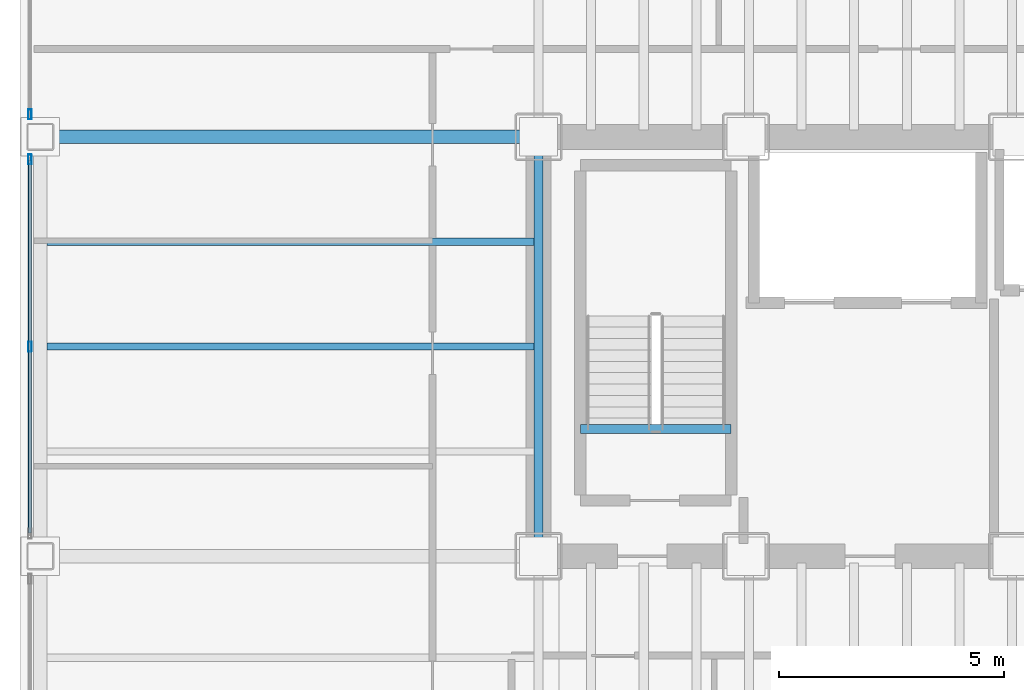
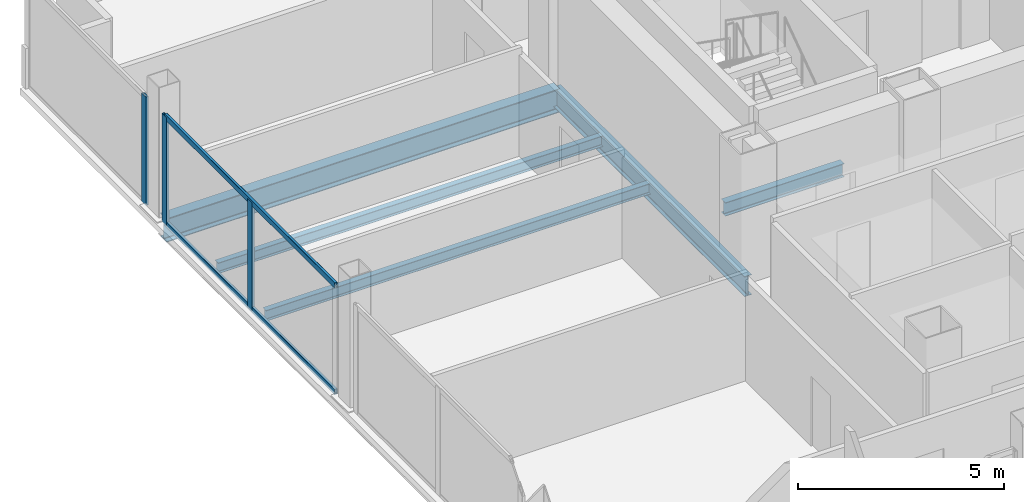
# One storey, part 6 of 21: 5 beams, 5 members, 2 elements without a shape of their own.
"""IFC4 building model written with IfcOpenShell, lengths in metres."""

from ifc_helpers import new_model, si_unit, direction, frame, origin, origin_2d, place, context, subcontext, project, spatial, hollow_rectangle, i_section, extrude, material, material_profile, profile_set, type_object, element, aggregate, save


model = new_model("IFC4")

# Units and contexts
model_context = context("Model", 3, precision=1e-05, world=origin(), true_north=direction((0.0, 1.0)))
body_context = subcontext(model_context, "Body", "Model", "MODEL_VIEW")
ifc_project = project(units=[si_unit("LENGTHUNIT", "METRE"), si_unit("AREAUNIT", "SQUARE_METRE"), si_unit("VOLUMEUNIT", "CUBIC_METRE"), si_unit("PLANEANGLEUNIT", "RADIAN"), si_unit("MASSUNIT", "GRAM", prefix="KILO")], contexts=[model_context])

# Site, building, storey
site_placement = place(None, origin())
site = spatial("IfcSite", under=ifc_project, at=site_placement, CompositionType="ELEMENT")
building_placement = place(site_placement, origin())
building = spatial("IfcBuilding", under=site, at=building_placement, Name="Noeulbin Bourse Tower", CompositionType="ELEMENT")
storey_placement = place(building_placement, frame((0.0, 0.0, 30.39990234375)))
storey = spatial("IfcBuildingStorey", under=building, at=storey_placement, Name="L07", CompositionType="ELEMENT", Elevation=30.39990234375)

# Beams
ifc_material_1 = material(Name="Steel S355", Category="steel")
ifc_material_profile_1 = material_profile(ifc_material_1, i_section(OverallWidth=0.199951171875, OverallDepth=0.60009765625, WebThickness=0.010986328125, FlangeThickness=0.01708984375, FilletRadius=0.02197265625, at=origin_2d()), Name="H-600x200x11x17", Category="LoadBearing")
ifc_profile_set_1 = profile_set([ifc_material_profile_1], Name="Steel S355")
beam_type_1 = type_object("IfcBeamType", Name="BM-GRD-600", PredefinedType="USERDEFINED", material=ifc_profile_set_1)
beam_1_placement = place(storey_placement, frame((13.5, 29.0, -0.47998046875), z_axis=(0.0, 1.0, 0.0), x_axis=(-1.0, 0.0, 0.0)))
element("IfcBeam", 1, at=beam_1_placement, inside=storey, type_object=beam_type_1, Name="Tower Primary Girder NS L07-1.3", ObjectType="GIRDER", PredefinedType="USERDEFINED", context=body_context, shape_type="SweptSolid", body=[
    extrude(i_section(OverallWidth=0.199951171875, OverallDepth=0.60009765625, WebThickness=0.010986328125, FlangeThickness=0.01708984375, FilletRadius=0.02197265625, at=origin_2d()), origin(), (0.0, 0.0, 1.0), 9.300048828125),
])
ifc_material_profile_2 = material_profile(ifc_material_1, i_section(OverallWidth=0.300048828125, OverallDepth=0.699951171875, WebThickness=0.012939453125, FlangeThickness=0.02392578125, FilletRadius=0.02392578125, at=origin_2d()), Name="H-700x300x13x24", Category="LoadBearing")
ifc_profile_set_2 = profile_set([ifc_material_profile_2], Name="Steel S355")
beam_type_2 = type_object("IfcBeamType", Name="BM-GRD-700", PredefinedType="USERDEFINED", material=ifc_profile_set_2)
beam_2_placement = place(storey_placement, frame((2.449951171875, 38.300048828125, -0.52978515625), z_axis=(1.0, 0.0, 0.0), x_axis=(0.0, 1.0, 0.0)))
element("IfcBeam", 2, at=beam_2_placement, inside=storey, type_object=beam_type_2, Name="Tower Primary Girder EW L07-3.1", ObjectType="GIRDER", PredefinedType="USERDEFINED", context=body_context, shape_type="SweptSolid", body=[
    extrude(i_section(OverallWidth=0.300048828125, OverallDepth=0.699951171875, WebThickness=0.012939453125, FlangeThickness=0.02392578125, FilletRadius=0.02392578125, at=origin_2d()), origin(), (0.0, 0.0, 1.0), 11.050048828125),
])
ifc_material_profile_3 = material_profile(ifc_material_1, i_section(OverallWidth=0.159912109375, OverallDepth=0.320068359375, WebThickness=0.006591796875, FlangeThickness=0.010009765625, FilletRadius=0.012939453125, at=origin_2d()), Name="H-320x160x6.5x10", Category="LoadBearing")
ifc_profile_set_3 = profile_set([ifc_material_profile_3], Name="Steel S355")
beam_type_3 = type_object("IfcBeamType", Name="BM-JST-320", PredefinedType="JOIST", material=ifc_profile_set_3)
for number, where, z_axis, x_axis, name in (
    (3, (2.60009765625, 33.64990234375, -0.33984375), (1.0, 0.0, 0.0), (0.0, 1.0, 0.0), "Wing Composite Joist L07-W73"),
    (4, (2.60009765625, 35.97509765625, -0.33984375), (1.0, 0.0, 0.0), (0.0, 1.0, 0.0), "Wing Composite Joist L07-W74"),
):
    element("IfcBeam", number, at=place(storey_placement, frame(where, z_axis=z_axis, x_axis=x_axis)), inside=storey, type_object=beam_type_3, Name=name, PredefinedType="JOIST", context=body_context, shape_type="SweptSolid", body=[
        extrude(i_section(OverallWidth=0.159912109375, OverallDepth=0.320068359375, WebThickness=0.006591796875, FlangeThickness=0.010009765625, FilletRadius=0.012939453125, at=origin_2d()), origin(), (0.0, 0.0, 1.0), 10.7998046875),
    ])
ifc_material_profile_4 = material_profile(ifc_material_1, i_section(OverallWidth=0.199951171875, OverallDepth=0.39990234375, WebThickness=0.008056640625, FlangeThickness=0.012939453125, FilletRadius=0.01611328125, at=origin_2d()), Name="H-400x200x8x13", Category="LoadBearing")
ifc_profile_set_4 = profile_set([ifc_material_profile_4], Name="Steel S355")
beam_type_4 = type_object("IfcBeamType", Name="BM-SEC-400", PredefinedType="BEAM", material=ifc_profile_set_4)
beam_3_placement = place(storey_placement, frame((14.429931640625, 31.820068359375, -0.199951171875), z_axis=(1.0, 0.0, 0.0), x_axis=(0.0, 1.0, 0.0)))
element("IfcBeam", 5, at=beam_3_placement, inside=storey, type_object=beam_type_4, Name="Stair Threshold Trimmer Beam ST1-L07", PredefinedType="BEAM", context=body_context, shape_type="SweptSolid", body=[
    extrude(i_section(OverallWidth=0.199951171875, OverallDepth=0.39990234375, WebThickness=0.008056640625, FlangeThickness=0.012939453125, FilletRadius=0.01611328125, at=origin_2d()), origin(), (0.0, 0.0, 1.0), 3.340087890625),
])

# Curtain wall, members
ifc_material_2 = material(Name="Dark Solar-Control Double Glazing", Category="glass")
curtain_wall_type = type_object("IfcCurtainWallType", Name="CW-SYS-2", PredefinedType="NOTDEFINED", material=ifc_material_2)
curtain_wall_1_placement = place(storey_placement, origin())
curtain_wall_1 = element("IfcCurtainWall", 6, at=curtain_wall_1_placement, inside=storey, type_object=curtain_wall_type, Name="Unitised Curtain Wall CW-L07-W-S3", PredefinedType="NOTDEFINED")
ifc_material_3 = material(Name="Anodised Aluminium 6063-T6", Category="aluminium")
ifc_material_profile_5 = material_profile(ifc_material_3, hollow_rectangle(XDim=0.074951171875, YDim=0.219970703125, WallThickness=0.0048828125, InnerFilletRadius=0.00244140625, OuterFilletRadius=0.0048828125, at=origin_2d()), Name="ALU-MULL-75x220x5", Category="LoadBearing")
ifc_profile_set_5 = profile_set([ifc_material_profile_5], Name="Anodised Aluminium 6063-T6")
member_type_1 = type_object("IfcMemberType", Name="CW-SYS-2-MUL", PredefinedType="MULLION", material=ifc_profile_set_5)
member_1_placement = place(storey_placement, frame((2.219970703125, 33.64990234375, -0.02001953125), z_axis=(0.0, 0.0, 1.0), x_axis=(1.0, 0.0, 0.0)))
member_1 = element("IfcMember", 7, at=member_1_placement, type_object=member_type_1, Name="Curtain Wall Mullion CW-L07-W-S3-M01", PredefinedType="MULLION", context=body_context, shape_type="SweptSolid", body=[
    extrude(hollow_rectangle(XDim=0.074951171875, YDim=0.219970703125, WallThickness=0.0048828125, InnerFilletRadius=0.00244140625, OuterFilletRadius=0.0048828125, at=origin_2d()), origin(), (0.0, 0.0, 1.0), 3.22021484375),
])
member_2_placement = place(storey_placement, frame((2.219970703125, 37.800048828125, -0.02001953125), z_axis=(0.0, 0.0, 1.0), x_axis=(1.0, 0.0, 0.0)))
member_2 = element("IfcMember", 8, at=member_2_placement, type_object=member_type_1, Name="Curtain Wall Mullion CW-L07-W-S3-M02", PredefinedType="MULLION", context=body_context, shape_type="SweptSolid", body=[
    extrude(hollow_rectangle(XDim=0.074951171875, YDim=0.219970703125, WallThickness=0.0048828125, InnerFilletRadius=0.00244140625, OuterFilletRadius=0.0048828125, at=origin_2d()), origin(), (0.0, 0.0, 1.0), 3.22021484375),
])

# Curtain wall, member
curtain_wall_2_placement = place(storey_placement, origin())
curtain_wall_2 = element("IfcCurtainWall", 9, at=curtain_wall_2_placement, inside=storey, type_object=curtain_wall_type, Name="Unitised Curtain Wall CW-L07-W-S4", PredefinedType="NOTDEFINED")
member_3_placement = place(storey_placement, frame((2.219970703125, 38.800048828125, -0.02001953125), z_axis=(0.0, 0.0, 1.0), x_axis=(1.0, 0.0, 0.0)))
member_3 = element("IfcMember", 10, at=member_3_placement, type_object=member_type_1, Name="Curtain Wall Mullion CW-L07-W-S4-M00", PredefinedType="MULLION", context=body_context, shape_type="SweptSolid", body=[
    extrude(hollow_rectangle(XDim=0.074951171875, YDim=0.219970703125, WallThickness=0.0048828125, InnerFilletRadius=0.00244140625, OuterFilletRadius=0.0048828125, at=origin_2d()), origin(), (0.0, 0.0, 1.0), 3.22021484375),
])
aggregate(curtain_wall_2, [member_3])

# Member
ifc_material_profile_6 = material_profile(ifc_material_3, hollow_rectangle(XDim=0.074951171875, YDim=0.159912109375, WallThickness=0.0048828125, InnerFilletRadius=0.00244140625, OuterFilletRadius=0.0048828125, at=origin_2d()), Name="ALU-TRAN-75x160x5", Category="LoadBearing")
ifc_profile_set_6 = profile_set([ifc_material_profile_6], Name="Anodised Aluminium 6063-T6")
member_type_2 = type_object("IfcMemberType", Name="CW-SYS-2-TRN", PredefinedType="USERDEFINED", material=ifc_profile_set_6)
member_4_placement = place(storey_placement, frame((2.219970703125, 29.510009765625, 0.010009765625), z_axis=(0.0, 1.0, 0.0), x_axis=(-1.0, 0.0, 0.0)))
member_4 = element("IfcMember", 11, at=member_4_placement, type_object=member_type_2, Name="Curtain Wall Transom CW-L07-W-S3-T00", ObjectType="TRANSOM", PredefinedType="USERDEFINED", context=body_context, shape_type="SweptSolid", body=[
    extrude(hollow_rectangle(XDim=0.074951171875, YDim=0.159912109375, WallThickness=0.0048828125, InnerFilletRadius=0.00244140625, OuterFilletRadius=0.0048828125, at=origin_2d()), origin(), (0.0, 0.0, 1.0), 8.280029296875),
])

member_5_placement = place(storey_placement, frame((2.219970703125, 29.510009765625, 3.170166015625), z_axis=(0.0, 1.0, 0.0), x_axis=(-1.0, 0.0, 0.0)))
member_5 = element("IfcMember", 12, at=member_5_placement, type_object=member_type_2, Name="Curtain Wall Transom CW-L07-W-S3-T01", ObjectType="TRANSOM", PredefinedType="USERDEFINED", context=body_context, shape_type="SweptSolid", body=[
    extrude(hollow_rectangle(XDim=0.074951171875, YDim=0.159912109375, WallThickness=0.0048828125, InnerFilletRadius=0.00244140625, OuterFilletRadius=0.0048828125, at=origin_2d()), origin(), (0.0, 0.0, 1.0), 8.280029296875),
])

aggregate(curtain_wall_1, [member_1, member_2, member_4, member_5])

save(model, "model.ifc")
